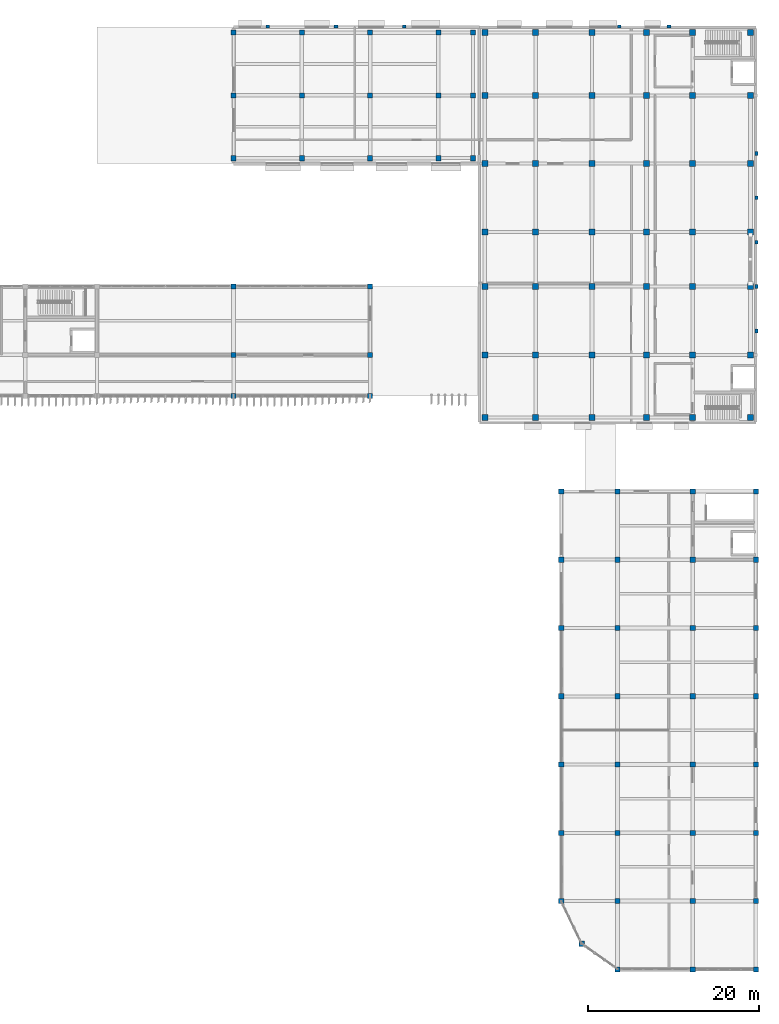
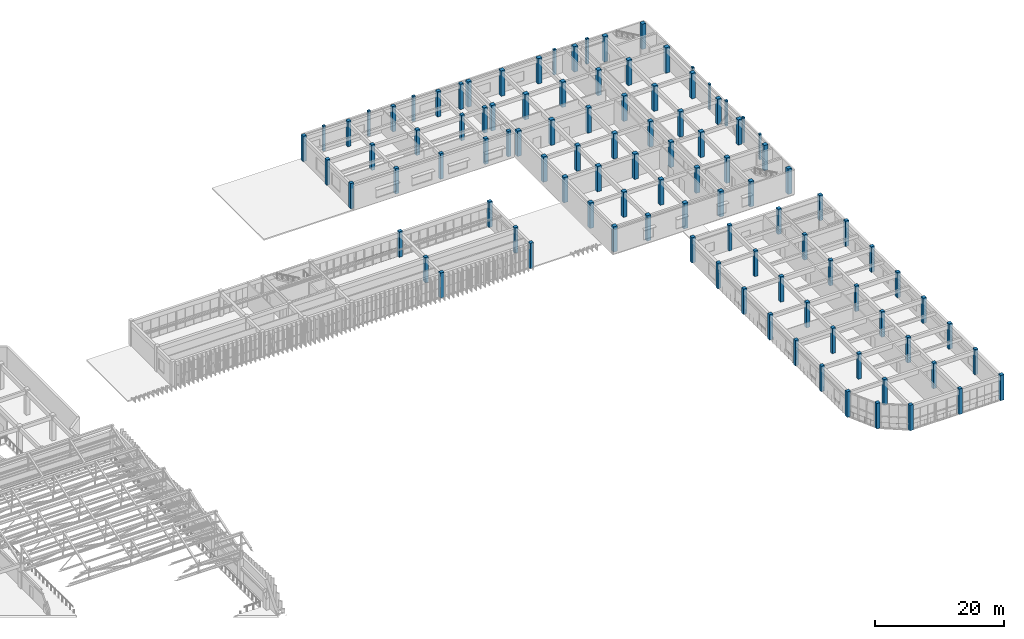
# One storey, part 2 of 76: 105 columns.
"""IFC4 building model written with IfcOpenShell, lengths in metres."""

import ifcopenshell
import ifcopenshell.guid

model = None  # the IFC model being written
_history = None  # IfcOwnerHistory: only IFC2X3 demands one
_inside = {}  # id of a spatial element -> (the spatial element, [elements in it])
_under = {}  # id of a project, library or spatial element -> (it, [spatial elements below it])
_declared = {}  # id of a project -> (the project, [libraries it declares])
_typed = {}  # id of a type object -> (the type object, [elements of that type])
_made_of = {}  # id of a material, layer set ... -> (it, [elements and type objects made of it])


def new_model(schema):
    """Start an empty IFC model of exactly this schema.

    Asked for "IFC4X3", IfcOpenShell would pick the latest addendum, in which some entities
    have other attributes; the version numbers below select the first issue.
    IFC2X3 requires an IfcOwnerHistory on every rooted entity: one is made here for all.
    """
    global model, _history
    if schema == "IFC4X3":
        model = ifcopenshell.file(schema_version=(4, 3, 0, 0))
    else:
        model = ifcopenshell.file(schema=schema)
    _inside.clear()
    _under.clear()
    _declared.clear()
    _typed.clear()
    _made_of.clear()
    _history = None
    if model.schema == "IFC2X3":
        org = make("IfcOrganization", Name="unknown")
        user = make(
            "IfcPersonAndOrganization",
            ThePerson=make("IfcPerson", FamilyName="unknown"),
            TheOrganization=org,
        )
        app = make(
            "IfcApplication",
            ApplicationDeveloper=org,
            Version="unknown",
            ApplicationFullName="unknown",
            ApplicationIdentifier="unknown",
        )
        _history = make(
            "IfcOwnerHistory",
            OwningUser=user,
            OwningApplication=app,
            ChangeAction="ADDED",
            CreationDate=0,
        )
    return model


def make(cls, **values):
    """One entity of the class cls with the attributes given. An attribute that is None is left unset."""
    return model.create_entity(
        cls, **{name: value for name, value in values.items() if value is not None}
    )


def rooted(cls, **values):
    """An entity with a GlobalId (a new one), such as an element, a storey or a relation."""
    return make(cls, GlobalId=ifcopenshell.guid.new(), OwnerHistory=_history, **values)


def si_unit(unit_type, name, prefix=None):
    """IfcSIUnit, for example si_unit("LENGTHUNIT", "METRE", prefix="MILLI")."""
    return make("IfcSIUnit", UnitType=unit_type, Prefix=prefix, Name=name)


def assignment(units):
    """IfcUnitAssignment: the units of a project."""
    return None if units is None else make("IfcUnitAssignment", Units=units)


def point(xyz):
    """IfcCartesianPoint."""
    return None if xyz is None else make("IfcCartesianPoint", Coordinates=xyz)


def direction(xyz):
    """IfcDirection."""
    return None if xyz is None else make("IfcDirection", DirectionRatios=xyz)


def frame(location, z_axis=None, x_axis=None):
    """IfcAxis2Placement3D, a coordinate frame: its origin and axes. An axis left out is left unset."""
    return make(
        "IfcAxis2Placement3D",
        Location=point(location),
        Axis=direction(z_axis),
        RefDirection=direction(x_axis),
    )


def frame_2d(location, x_axis=None):
    """IfcAxis2Placement2D, a coordinate frame in the plane: its origin and x axis."""
    return make(
        "IfcAxis2Placement2D", Location=point(location), RefDirection=direction(x_axis)
    )


def origin():
    """The frame at (0, 0, 0) with its axes left unset."""
    return frame((0.0, 0.0, 0.0))


def origin_2d():
    """The frame at (0, 0) in the plane with its x axis left unset."""
    return frame_2d((0.0, 0.0))


def place(relative_to, where):
    """IfcLocalPlacement: puts the frame where relative to a parent placement (None: the world)."""
    return make(
        "IfcLocalPlacement", PlacementRelTo=relative_to, RelativePlacement=where
    )


def context(
    kind, dimensions, precision=None, world=None, true_north=None, identifier=None
):
    """IfcGeometricRepresentationContext, for example the 3D "Model" context."""
    return make(
        "IfcGeometricRepresentationContext",
        ContextIdentifier=identifier,
        ContextType=kind,
        CoordinateSpaceDimension=dimensions,
        Precision=precision,
        WorldCoordinateSystem=world,
        TrueNorth=true_north,
    )


def subcontext(parent, identifier, kind, view, scale=None):
    """IfcGeometricRepresentationSubContext, for example "Body" below "Model"."""
    return make(
        "IfcGeometricRepresentationSubContext",
        ContextIdentifier=identifier,
        ContextType=kind,
        ParentContext=parent,
        TargetScale=scale,
        TargetView=view,
    )


def project(units=None, contexts=None):
    """IfcProject with its units and contexts."""
    return rooted(
        "IfcProject",
        Name="project",
        RepresentationContexts=contexts,
        UnitsInContext=assignment(units),
    )


def spatial(cls, under=None, at=None, **own):
    """A site, building, storey or space (cls), placed at a placement, below another one or the project."""
    s = rooted(cls, ObjectPlacement=at, **own)
    if under is not None:
        _under.setdefault(under.id(), (under, []))[1].append(s)
    return s


def profile(cls, at=None, kind="AREA", **sizes):
    """A parametric profile (cls). Its sizes go by their IFC names, for example OverallWidth=200.0."""
    return make(cls, ProfileType=kind, Position=at, **sizes)


def rectangle(**sizes):
    """IfcRectangleProfileDef."""
    return profile("IfcRectangleProfileDef", **sizes)


def extrude(swept, where, along, depth):
    """IfcExtrudedAreaSolid: the profile swept, set in the frame where, extruded along a direction by depth."""
    return make(
        "IfcExtrudedAreaSolid",
        SweptArea=swept,
        Position=where,
        ExtrudedDirection=direction(along),
        Depth=depth,
    )


def shape(context_of_items, identifier, shape_type, items):
    """IfcShapeRepresentation: the items that make up one representation, for example the "Body"."""
    return make(
        "IfcShapeRepresentation",
        ContextOfItems=context_of_items,
        RepresentationIdentifier=identifier,
        RepresentationType=shape_type,
        Items=items,
    )


def material(Name=None, Category=None):
    """IfcMaterial."""
    return make("IfcMaterial", Name=Name, Category=Category)


def material_profile(
    of_material, cross_section, Name=None, Category=None, Priority=None
):
    """IfcMaterialProfile: a cross section and its material."""
    return make(
        "IfcMaterialProfile",
        Name=Name,
        Material=of_material,
        Profile=cross_section,
        Priority=Priority,
        Category=Category,
    )


def profile_set(profiles, Name=None, composite=None):
    """IfcMaterialProfileSet."""
    return make(
        "IfcMaterialProfileSet",
        Name=Name,
        MaterialProfiles=profiles,
        CompositeProfile=composite,
    )


def made_of(thing, what):
    """Note that an element or type object is made of a material, layer set ...; save() writes the relation."""
    if what is not None:
        _made_of.setdefault(what.id(), (what, []))[1].append(thing)
    return thing


def type_object(cls, material=None, **own):
    """A type object (cls), such as IfcWallType, which elements share."""
    return made_of(rooted(cls, **own), material)


def element(
    cls,
    number,
    at=None,
    inside=None,
    cuts=None,
    type_object=None,
    material=None,
    context=None,
    identifier="Body",
    shape_type=None,
    held_by="IfcProductDefinitionShape",
    body=None,
    shapes=None,
    **own,
):
    """One element of the class cls, such as IfcWall. Its Tag is "e" and its number.

    at: its placement. inside: the storey or other place that contains it. cuts: it is an
    opening in that element (IfcRelVoidsElement). A single representation is given by context,
    identifier, shape_type and body (its items); several are given by shapes. held_by: the class
    of the entity that holds the representations. save() writes the other relations.
    """
    e = rooted(cls, Tag="e%d" % number, ObjectPlacement=at, **own)
    if body is not None:
        shapes = [shape(context, identifier, shape_type, body)]
    if shapes is not None:
        e.Representation = make(held_by, Representations=shapes)
    if inside is not None:
        _inside.setdefault(inside.id(), (inside, []))[1].append(e)
    if cuts is not None:
        rooted(
            "IfcRelVoidsElement", RelatingBuildingElement=cuts, RelatedOpeningElement=e
        )
    if type_object is not None:
        _typed.setdefault(type_object.id(), (type_object, []))[1].append(e)
    return made_of(e, material)


def aggregate(whole, parts):
    """IfcRelAggregates: a whole, such as a stair, and the parts it consists of."""
    return rooted("IfcRelAggregates", RelatingObject=whole, RelatedObjects=parts)


def save(model, path):
    """Write the relations noted so far, then the file.

    IfcRelAggregates (storeys below a building ...), IfcRelContainedInSpatialStructure (elements
    in a storey), IfcRelDefinesByType, IfcRelAssociatesMaterial and IfcRelDeclares: one each for
    every whole, place, type object, material and project.
    """
    for whole, parts in _under.values():
        aggregate(whole, parts)
    for where, things in _inside.values():
        rooted(
            "IfcRelContainedInSpatialStructure",
            RelatedElements=things,
            RelatingStructure=where,
        )
    for kind, things in _typed.values():
        rooted("IfcRelDefinesByType", RelatedObjects=things, RelatingType=kind)
    for what, things in _made_of.values():
        rooted("IfcRelAssociatesMaterial", RelatedObjects=things, RelatingMaterial=what)
    for by, libraries in _declared.values():
        rooted("IfcRelDeclares", RelatingContext=by, RelatedDefinitions=libraries)
    model.write(path)


model = new_model("IFC4")

# Units and contexts
model_context = context("Model", 3, precision=1e-05, world=origin(), true_north=direction((0.0, 1.0)))
body_context = subcontext(model_context, "Body", "Model", "MODEL_VIEW")
ifc_project = project(units=[si_unit("LENGTHUNIT", "METRE"), si_unit("AREAUNIT", "SQUARE_METRE"), si_unit("VOLUMEUNIT", "CUBIC_METRE"), si_unit("PLANEANGLEUNIT", "RADIAN"), si_unit("MASSUNIT", "GRAM", prefix="KILO")], contexts=[model_context])

# Site, building, storey
site_placement = place(None, origin())
site = spatial("IfcSite", under=ifc_project, at=site_placement, CompositionType="ELEMENT")
building_placement = place(site_placement, origin())
building = spatial("IfcBuilding", under=site, at=building_placement, Name="Cinchona Park Media Centre", CompositionType="ELEMENT")
storey_placement = place(building_placement, frame((0.0, 0.0, 15.60009765625)))
storey = spatial("IfcBuildingStorey", under=building, at=storey_placement, Name="L03", CompositionType="ELEMENT", Elevation=15.60009765625)

# Columns
ifc_material_1 = material(Name="Concrete C40/50", Category="concrete")
ifc_material_profile_1 = material_profile(ifc_material_1, rectangle(XDim=0.699951171875, YDim=0.699951171875, at=origin_2d()), Name="RC 700X700")
ifc_profile_set_1 = profile_set([ifc_material_profile_1], Name="Concrete C40/50")
column_type_1 = type_object("IfcColumnType", Name="COL-C02-RC700X700", PredefinedType="COLUMN", material=ifc_profile_set_1)
for number, where, z_axis, x_axis, name in (
    (1, (140.239990234375, 72.239990234375, 0.0), (0.0, 0.0, 1.0), (1.0, 0.0, 0.0), "Column C02 L03"),
    (2, (140.239990234375, 79.60009765625, 0.0), (0.0, 0.0, 1.0), (1.0, 0.0, 0.0), "Column C02 L03"),
    (3, (140.239990234375, 87.60009765625, 0.0), (0.0, 0.0, 1.0), (1.0, 0.0, 0.0), "Column C02 L03"),
    (4, (140.239990234375, 94.0, 0.0), (0.0, 0.0, 1.0), (1.0, 0.0, 0.0), "Column C02 L03"),
    (5, (140.239990234375, 102.0, 0.0), (0.0, 0.0, 1.0), (1.0, 0.0, 0.0), "Column C02 L03"),
    (6, (140.239990234375, 110.0, 0.0), (0.0, 0.0, 1.0), (1.0, 0.0, 0.0), "Column C02 L03"),
    (7, (140.239990234375, 117.360107421875, 0.0), (0.0, 0.0, 1.0), (1.0, 0.0, 0.0), "Column C02 L03"),
    (8, (146.199951171875, 72.239990234375, 0.0), (0.0, 0.0, 1.0), (1.0, 0.0, 0.0), "Column C02 L03"),
    (9, (146.199951171875, 79.60009765625, 0.0), (0.0, 0.0, 1.0), (1.0, 0.0, 0.0), "Column C02 L03"),
    (10, (146.199951171875, 87.60009765625, 0.0), (0.0, 0.0, 1.0), (1.0, 0.0, 0.0), "Column C02 L03"),
    (11, (146.199951171875, 94.0, 0.0), (0.0, 0.0, 1.0), (1.0, 0.0, 0.0), "Column C02 L03"),
    (12, (146.199951171875, 102.0, 0.0), (0.0, 0.0, 1.0), (1.0, 0.0, 0.0), "Column C02 L03"),
    (13, (146.199951171875, 110.0, 0.0), (0.0, 0.0, 1.0), (1.0, 0.0, 0.0), "Column C02 L03"),
    (14, (146.199951171875, 117.360107421875, 0.0), (0.0, 0.0, 1.0), (1.0, 0.0, 0.0), "Column C02 L03"),
    (15, (152.800048828125, 72.239990234375, 0.0), (0.0, 0.0, 1.0), (1.0, 0.0, 0.0), "Column C02 L03"),
    (16, (152.800048828125, 79.60009765625, 0.0), (0.0, 0.0, 1.0), (1.0, 0.0, 0.0), "Column C02 L03"),
    (17, (152.800048828125, 87.60009765625, 0.0), (0.0, 0.0, 1.0), (1.0, 0.0, 0.0), "Column C02 L03"),
    (18, (152.800048828125, 94.0, 0.0), (0.0, 0.0, 1.0), (1.0, 0.0, 0.0), "Column C02 L03"),
    (19, (152.800048828125, 102.0, 0.0), (0.0, 0.0, 1.0), (1.0, 0.0, 0.0), "Column C02 L03"),
    (20, (152.800048828125, 110.0, 0.0), (0.0, 0.0, 1.0), (1.0, 0.0, 0.0), "Column C02 L03"),
    (21, (152.800048828125, 117.360107421875, 0.0), (0.0, 0.0, 1.0), (1.0, 0.0, 0.0), "Column C02 L03"),
    (22, (159.199951171875, 72.239990234375, 0.0), (0.0, 0.0, 1.0), (1.0, 0.0, 0.0), "Column C02 L03"),
    (23, (159.199951171875, 79.60009765625, 0.0), (0.0, 0.0, 1.0), (1.0, 0.0, 0.0), "Column C02 L03"),
    (24, (159.199951171875, 87.60009765625, 0.0), (0.0, 0.0, 1.0), (1.0, 0.0, 0.0), "Column C02 L03"),
    (25, (159.199951171875, 94.0, 0.0), (0.0, 0.0, 1.0), (1.0, 0.0, 0.0), "Column C02 L03"),
    (26, (159.199951171875, 102.0, 0.0), (0.0, 0.0, 1.0), (1.0, 0.0, 0.0), "Column C02 L03"),
    (27, (159.199951171875, 110.0, 0.0), (0.0, 0.0, 1.0), (1.0, 0.0, 0.0), "Column C02 L03"),
    (28, (159.199951171875, 117.360107421875, 0.0), (0.0, 0.0, 1.0), (1.0, 0.0, 0.0), "Column C02 L03"),
    (29, (164.60009765625, 72.239990234375, 0.0), (0.0, 0.0, 1.0), (1.0, 0.0, 0.0), "Column C02 L03"),
    (30, (164.60009765625, 79.60009765625, 0.0), (0.0, 0.0, 1.0), (1.0, 0.0, 0.0), "Column C02 L03"),
    (31, (164.60009765625, 87.60009765625, 0.0), (0.0, 0.0, 1.0), (1.0, 0.0, 0.0), "Column C02 L03"),
    (32, (164.60009765625, 94.0, 0.0), (0.0, 0.0, 1.0), (1.0, 0.0, 0.0), "Column C02 L03"),
    (33, (164.60009765625, 102.0, 0.0), (0.0, 0.0, 1.0), (1.0, 0.0, 0.0), "Column C02 L03"),
    (34, (164.60009765625, 110.0, 0.0), (0.0, 0.0, 1.0), (1.0, 0.0, 0.0), "Column C02 L03"),
    (35, (164.60009765625, 117.360107421875, 0.0), (0.0, 0.0, 1.0), (1.0, 0.0, 0.0), "Column C02 L03"),
    (36, (171.360107421875, 72.239990234375, 0.0), (0.0, 0.0, 1.0), (1.0, 0.0, 0.0), "Column C02 L03"),
    (37, (171.360107421875, 79.60009765625, 0.0), (0.0, 0.0, 1.0), (1.0, 0.0, 0.0), "Column C02 L03"),
    (38, (171.360107421875, 87.60009765625, 0.0), (0.0, 0.0, 1.0), (1.0, 0.0, 0.0), "Column C02 L03"),
    (39, (171.360107421875, 94.0, 0.0), (0.0, 0.0, 1.0), (1.0, 0.0, 0.0), "Column C02 L03"),
    (40, (171.360107421875, 102.0, 0.0), (0.0, 0.0, 1.0), (1.0, 0.0, 0.0), "Column C02 L03"),
    (41, (171.360107421875, 110.0, 0.0), (0.0, 0.0, 1.0), (1.0, 0.0, 0.0), "Column C02 L03"),
    (42, (171.360107421875, 117.360107421875, 0.0), (0.0, 0.0, 1.0), (1.0, 0.0, 0.0), "Column C02 L03"),
):
    element("IfcColumn", number, at=place(storey_placement, frame(where, z_axis=z_axis, x_axis=x_axis)), inside=storey, type_object=column_type_1, Name=name, PredefinedType="COLUMN", context=body_context, shape_type="SweptSolid", body=[
        extrude(rectangle(XDim=0.699951171875, YDim=0.699951171875, at=origin_2d()), origin(), (0.0, 0.0, 1.0), 4.7998046875),
    ])
ifc_material_2 = material(Name="Concrete C40/50", Category="concrete")
ifc_material_profile_2 = material_profile(ifc_material_2, rectangle(XDim=0.60009765625, YDim=0.60009765625, at=origin_2d()), Name="RC 600X600")
ifc_profile_set_2 = profile_set([ifc_material_profile_2], Name="Concrete C40/50")
column_type_2 = type_object("IfcColumnType", Name="COL-C03-RC600X600", PredefinedType="COLUMN", material=ifc_profile_set_2)
for number, where, z_axis, x_axis, name in (
    (43, (110.800048828125, 102.639892578125, 0.0), (0.0, 0.0, 1.0), (1.0, 0.0, 0.0), "Column C03 L03"),
    (44, (110.800048828125, 110.0, 0.0), (0.0, 0.0, 1.0), (1.0, 0.0, 0.0), "Column C03 L03"),
    (45, (110.800048828125, 117.360107421875, 0.0), (0.0, 0.0, 1.0), (1.0, 0.0, 0.0), "Column C03 L03"),
    (46, (118.800048828125, 102.639892578125, 0.0), (0.0, 0.0, 1.0), (1.0, 0.0, 0.0), "Column C03 L03"),
    (47, (118.800048828125, 110.0, 0.0), (0.0, 0.0, 1.0), (1.0, 0.0, 0.0), "Column C03 L03"),
    (48, (118.800048828125, 117.360107421875, 0.0), (0.0, 0.0, 1.0), (1.0, 0.0, 0.0), "Column C03 L03"),
    (49, (126.800048828125, 102.639892578125, 0.0), (0.0, 0.0, 1.0), (1.0, 0.0, 0.0), "Column C03 L03"),
    (50, (126.800048828125, 110.0, 0.0), (0.0, 0.0, 1.0), (1.0, 0.0, 0.0), "Column C03 L03"),
    (51, (126.800048828125, 117.360107421875, 0.0), (0.0, 0.0, 1.0), (1.0, 0.0, 0.0), "Column C03 L03"),
    (52, (134.800048828125, 102.639892578125, 0.0), (0.0, 0.0, 1.0), (1.0, 0.0, 0.0), "Column C03 L03"),
    (53, (134.800048828125, 110.0, 0.0), (0.0, 0.0, 1.0), (1.0, 0.0, 0.0), "Column C03 L03"),
    (54, (134.800048828125, 117.360107421875, 0.0), (0.0, 0.0, 1.0), (1.0, 0.0, 0.0), "Column C03 L03"),
    (55, (138.860107421875, 102.639892578125, 0.0), (0.0, 0.0, 1.0), (1.0, 0.0, 0.0), "Column C03 L03"),
    (56, (138.860107421875, 110.0, 0.0), (0.0, 0.0, 1.0), (1.0, 0.0, 0.0), "Column C03 L03"),
    (57, (138.860107421875, 117.360107421875, 0.0), (0.0, 0.0, 1.0), (1.0, 0.0, 0.0), "Column C03 L03"),
    (58, (110.800048828125, 74.800048828125, 0.0), (0.0, 0.0, 1.0), (1.0, 0.0, 0.0), "Column C03 L03"),
    (59, (110.800048828125, 79.60009765625, 0.0), (0.0, 0.0, 1.0), (1.0, 0.0, 0.0), "Column C03 L03"),
    (60, (110.800048828125, 87.60009765625, 0.0), (0.0, 0.0, 1.0), (1.0, 0.0, 0.0), "Column C03 L03"),
    (61, (126.800048828125, 74.800048828125, 0.0), (0.0, 0.0, 1.0), (1.0, 0.0, 0.0), "Column C03 L03"),
    (62, (126.800048828125, 79.60009765625, 0.0), (0.0, 0.0, 1.0), (1.0, 0.0, 0.0), "Column C03 L03"),
    (63, (126.800048828125, 87.60009765625, 0.0), (0.0, 0.0, 1.0), (1.0, 0.0, 0.0), "Column C03 L03"),
    (64, (149.199951171875, 15.60009765625, 0.0), (0.0, 0.0, 1.0), (1.0, 0.0, 0.0), "Column C03 L03"),
    (65, (149.199951171875, 23.60009765625, 0.0), (0.0, 0.0, 1.0), (1.0, 0.0, 0.0), "Column C03 L03"),
    (66, (149.199951171875, 31.60009765625, 0.0), (0.0, 0.0, 1.0), (1.0, 0.0, 0.0), "Column C03 L03"),
    (67, (149.199951171875, 39.60009765625, 0.0), (0.0, 0.0, 1.0), (1.0, 0.0, 0.0), "Column C03 L03"),
    (68, (149.199951171875, 47.60009765625, 0.0), (0.0, 0.0, 1.0), (1.0, 0.0, 0.0), "Column C03 L03"),
    (69, (149.199951171875, 55.60009765625, 0.0), (0.0, 0.0, 1.0), (1.0, 0.0, 0.0), "Column C03 L03"),
    (70, (149.199951171875, 63.60009765625, 0.0), (0.0, 0.0, 1.0), (1.0, 0.0, 0.0), "Column C03 L03"),
    (71, (151.60009765625, 10.60009765625, 0.0), (0.0, 0.0, 1.0), (1.0, 0.0, 0.0), "Column C03 L03"),
    (72, (155.800048828125, 7.60009765625, 0.0), (0.0, 0.0, 1.0), (1.0, 0.0, 0.0), "Column C03 L03"),
    (73, (155.800048828125, 15.60009765625, 0.0), (0.0, 0.0, 1.0), (1.0, 0.0, 0.0), "Column C03 L03"),
    (74, (155.800048828125, 23.60009765625, 0.0), (0.0, 0.0, 1.0), (1.0, 0.0, 0.0), "Column C03 L03"),
    (75, (155.800048828125, 31.60009765625, 0.0), (0.0, 0.0, 1.0), (1.0, 0.0, 0.0), "Column C03 L03"),
    (76, (155.800048828125, 39.60009765625, 0.0), (0.0, 0.0, 1.0), (1.0, 0.0, 0.0), "Column C03 L03"),
    (77, (155.800048828125, 47.60009765625, 0.0), (0.0, 0.0, 1.0), (1.0, 0.0, 0.0), "Column C03 L03"),
    (78, (155.800048828125, 55.60009765625, 0.0), (0.0, 0.0, 1.0), (1.0, 0.0, 0.0), "Column C03 L03"),
    (79, (155.800048828125, 63.60009765625, 0.0), (0.0, 0.0, 1.0), (1.0, 0.0, 0.0), "Column C03 L03"),
    (80, (164.60009765625, 7.60009765625, 0.0), (0.0, 0.0, 1.0), (1.0, 0.0, 0.0), "Column C03 L03"),
    (81, (164.60009765625, 15.60009765625, 0.0), (0.0, 0.0, 1.0), (1.0, 0.0, 0.0), "Column C03 L03"),
    (82, (164.60009765625, 23.60009765625, 0.0), (0.0, 0.0, 1.0), (1.0, 0.0, 0.0), "Column C03 L03"),
    (83, (164.60009765625, 31.60009765625, 0.0), (0.0, 0.0, 1.0), (1.0, 0.0, 0.0), "Column C03 L03"),
    (84, (164.60009765625, 39.60009765625, 0.0), (0.0, 0.0, 1.0), (1.0, 0.0, 0.0), "Column C03 L03"),
    (85, (164.60009765625, 47.60009765625, 0.0), (0.0, 0.0, 1.0), (1.0, 0.0, 0.0), "Column C03 L03"),
    (86, (164.60009765625, 55.60009765625, 0.0), (0.0, 0.0, 1.0), (1.0, 0.0, 0.0), "Column C03 L03"),
    (87, (164.60009765625, 63.60009765625, 0.0), (0.0, 0.0, 1.0), (1.0, 0.0, 0.0), "Column C03 L03"),
    (88, (172.0, 7.60009765625, 0.0), (0.0, 0.0, 1.0), (1.0, 0.0, 0.0), "Column C03 L03"),
    (89, (172.0, 15.60009765625, 0.0), (0.0, 0.0, 1.0), (1.0, 0.0, 0.0), "Column C03 L03"),
    (90, (172.0, 23.60009765625, 0.0), (0.0, 0.0, 1.0), (1.0, 0.0, 0.0), "Column C03 L03"),
    (91, (172.0, 31.60009765625, 0.0), (0.0, 0.0, 1.0), (1.0, 0.0, 0.0), "Column C03 L03"),
    (92, (172.0, 39.60009765625, 0.0), (0.0, 0.0, 1.0), (1.0, 0.0, 0.0), "Column C03 L03"),
    (93, (172.0, 47.60009765625, 0.0), (0.0, 0.0, 1.0), (1.0, 0.0, 0.0), "Column C03 L03"),
    (94, (172.0, 55.60009765625, 0.0), (0.0, 0.0, 1.0), (1.0, 0.0, 0.0), "Column C03 L03"),
    (95, (172.0, 63.60009765625, 0.0), (0.0, 0.0, 1.0), (1.0, 0.0, 0.0), "Column C03 L03"),
):
    element("IfcColumn", number, at=place(storey_placement, frame(where, z_axis=z_axis, x_axis=x_axis)), inside=storey, type_object=column_type_2, Name=name, PredefinedType="COLUMN", context=body_context, shape_type="SweptSolid", body=[
        extrude(rectangle(XDim=0.60009765625, YDim=0.60009765625, at=origin_2d()), origin(), (0.0, 0.0, 1.0), 4.7998046875),
    ])
ifc_material_3 = material(Name="Concrete C40/50", Category="concrete")
ifc_material_profile_3 = material_profile(ifc_material_3, rectangle(XDim=0.35009765625, YDim=0.449951171875, at=origin_2d()), Name="RC 350X450")
ifc_profile_set_3 = profile_set([ifc_material_profile_3], Name="Concrete C40/50")
column_type_3 = type_object("IfcColumnType", Name="COL-CP01-RC350X450", PredefinedType="PILASTER", material=ifc_profile_set_3)
for number, where, z_axis, x_axis, name in (
    (96, (114.800048828125, 118.080078125, 0.0), (0.0, 0.0, 1.0), (0.0, 1.0, 0.0), "Pilaster CP01 L03"),
    (97, (122.800048828125, 118.080078125, 0.0), (0.0, 0.0, 1.0), (0.0, 1.0, 0.0), "Pilaster CP01 L03"),
    (98, (130.800048828125, 118.080078125, 0.0), (0.0, 0.0, 1.0), (0.0, 1.0, 0.0), "Pilaster CP01 L03"),
    (99, (172.080078125, 82.39990234375, 0.0), (0.0, 0.0, 1.0), (1.0, 0.0, 0.0), "Pilaster CP01 L03"),
    (100, (172.080078125, 87.60009765625, 0.0), (0.0, 0.0, 1.0), (1.0, 0.0, 0.0), "Pilaster CP01 L03"),
    (101, (172.080078125, 92.800048828125, 0.0), (0.0, 0.0, 1.0), (1.0, 0.0, 0.0), "Pilaster CP01 L03"),
    (102, (172.080078125, 98.0, 0.0), (0.0, 0.0, 1.0), (1.0, 0.0, 0.0), "Pilaster CP01 L03"),
    (103, (172.080078125, 103.199951171875, 0.0), (0.0, 0.0, 1.0), (1.0, 0.0, 0.0), "Pilaster CP01 L03"),
    (104, (156.0, 118.080078125, 0.0), (0.0, 0.0, 1.0), (0.0, 1.0, 0.0), "Pilaster CP01 L03"),
    (105, (161.800048828125, 118.080078125, 0.0), (0.0, 0.0, 1.0), (0.0, 1.0, 0.0), "Pilaster CP01 L03"),
):
    element("IfcColumn", number, at=place(storey_placement, frame(where, z_axis=z_axis, x_axis=x_axis)), inside=storey, type_object=column_type_3, Name=name, PredefinedType="PILASTER", context=body_context, shape_type="SweptSolid", body=[
        extrude(rectangle(XDim=0.35009765625, YDim=0.449951171875, at=origin_2d()), origin(), (0.0, 0.0, 1.0), 4.7998046875),
    ])

save(model, "model.ifc")
